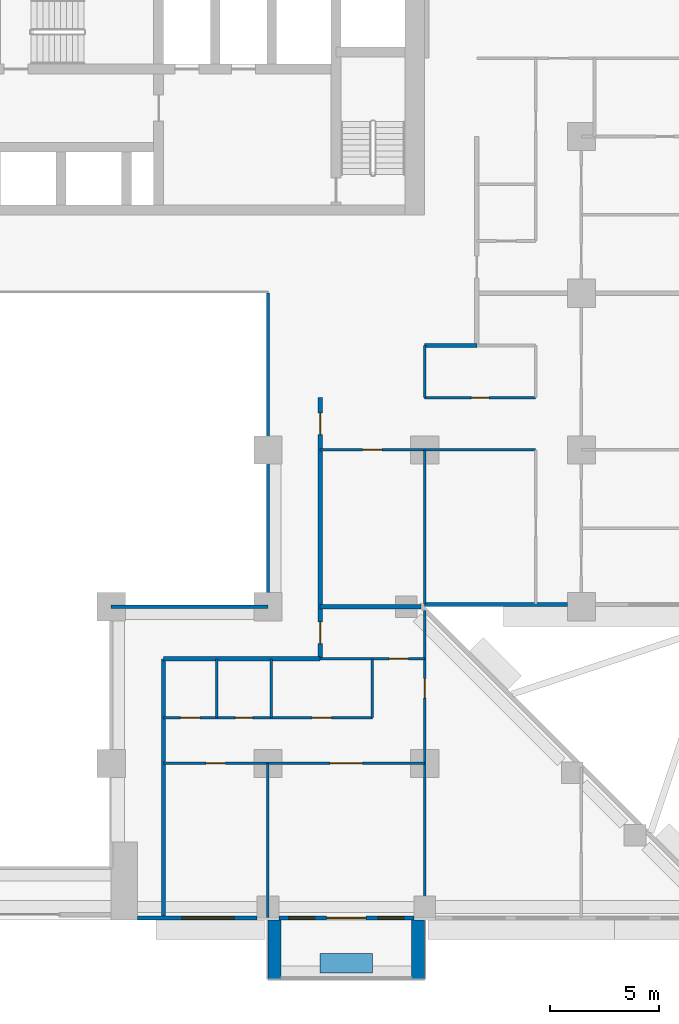
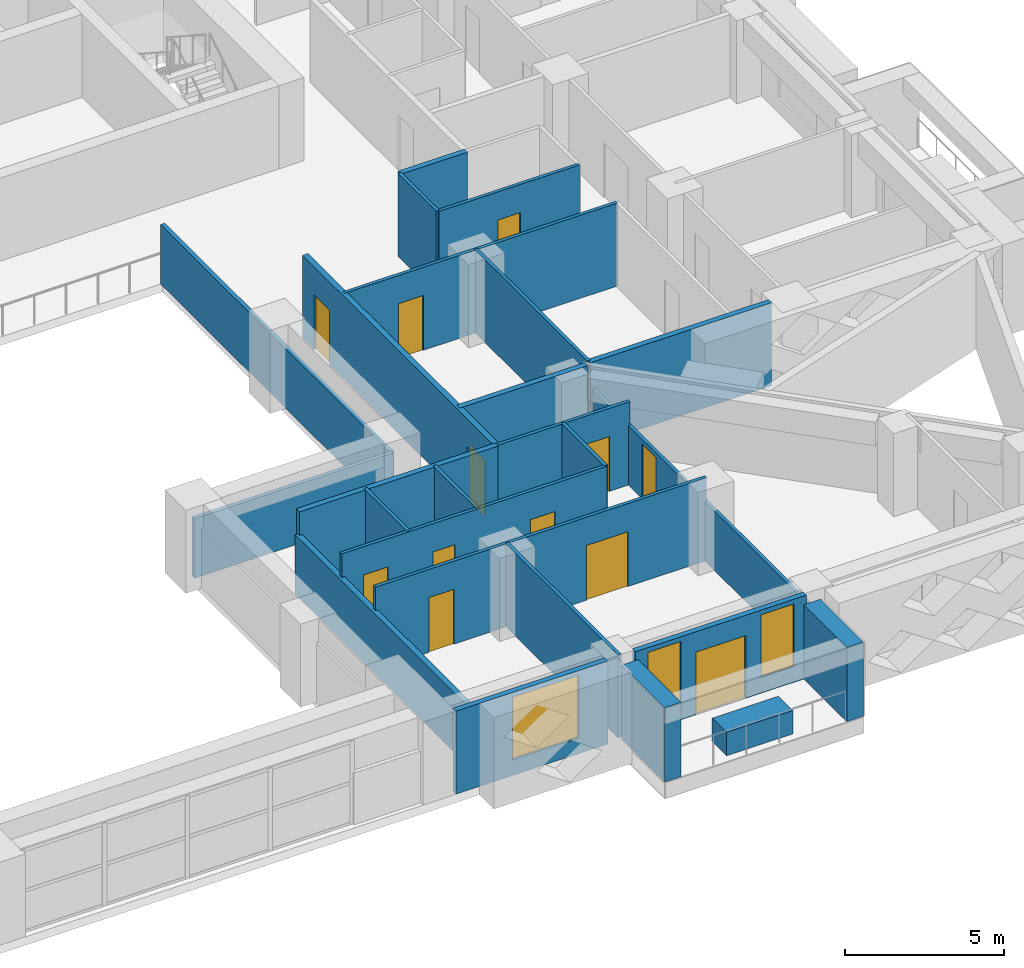
# One storey, part 8 of 16: 25 walls, 12 doors, 3 windows, 15 openings.
"""IFC4 building model written with IfcOpenShell, lengths in metres."""

from ifc_helpers import new_model, si_unit, direction, frame, frame_2d, origin, place, context, subcontext, project, spatial, rectangle, extrude, material, layer, layer_set, type_object, element, fill, save


model = new_model("IFC4")

# Units and contexts
model_context = context("Model", 3, precision=1e-05, world=origin(), true_north=direction((0.0, 1.0)))
body_context = subcontext(model_context, "Body", "Model", "MODEL_VIEW")
ifc_project = project(units=[si_unit("LENGTHUNIT", "METRE"), si_unit("AREAUNIT", "SQUARE_METRE"), si_unit("VOLUMEUNIT", "CUBIC_METRE"), si_unit("PLANEANGLEUNIT", "RADIAN"), si_unit("MASSUNIT", "GRAM", prefix="KILO")], contexts=[model_context])

# Site, building, storey
site_placement = place(None, origin())
site = spatial("IfcSite", under=ifc_project, at=site_placement, CompositionType="ELEMENT")
building_placement = place(site_placement, origin())
building = spatial("IfcBuilding", under=site, at=building_placement, Name="Saffron Iwan Residences", CompositionType="ELEMENT")
storey_placement = place(building_placement, frame((0.0, 0.0, 65.5)))
storey = spatial("IfcBuildingStorey", under=building, at=storey_placement, Name="L16", CompositionType="ELEMENT", Elevation=65.5)

# Walls
ifc_material_1 = material(Name="Fire-rated glazing", Category="glass")
ifc_layer_1 = layer(ifc_material_1, 0.14990234375)
ifc_layer_set_1 = layer_set([ifc_layer_1], Name="Fire-rated glazing")
wall_type_1 = type_object("IfcWallType", Name="Atrium glazed screen 150", PredefinedType="SOLIDWALL", material=ifc_layer_set_1)
wall_1_placement = place(storey_placement, frame((57.60009765625, 48.0, 0.0), z_axis=(0.0, 0.0, 1.0), x_axis=(1.0, 0.0, 0.0)))
element("IfcWall", 1, at=wall_1_placement, inside=storey, type_object=wall_type_1, Name="W-L16-SCREEN-h48-57.6", PredefinedType="SOLIDWALL", context=body_context, shape_type="SweptSolid", body=[
    extrude(rectangle(XDim=7.199951171875, YDim=0.14990234375, at=frame_2d((3.60009765625, 0.0))), origin(), (0.0, 0.0, 1.0), 2.280029296875),
])
wall_2_placement = place(storey_placement, frame((64.800048828125, 48.0, 0.0), z_axis=(0.0, 0.0, 1.0), x_axis=(0.0, 1.0, 0.0)))
element("IfcWall", 2, at=wall_2_placement, inside=storey, type_object=wall_type_1, Name="W-L16-SCREEN-v64.8-48", PredefinedType="SOLIDWALL", context=body_context, shape_type="SweptSolid", body=[
    extrude(rectangle(XDim=14.39990234375, YDim=0.14990234375, at=frame_2d((7.199951171875, 0.0))), origin(), (0.0, 0.0, 1.0), 2.280029296875),
])
ifc_material_2 = material(Name="Concrete C50/60 white painted", Category="concrete")
ifc_layer_2 = layer(ifc_material_2, 0.60009765625)
ifc_layer_set_2 = layer_set([ifc_layer_2], Name="Concrete C50/60 white painted")
wall_type_2 = type_object("IfcWallType", Name="BALCONY FIN 600", PredefinedType="SOLIDWALL", material=ifc_layer_set_2)
for number, where, z_axis, x_axis, name in (
    (3, (65.10009765625, 33.60009765625, 0.0), (0.0, 0.0, 1.0), (0.0, -1.0, 0.0), "Balcony fin L16 11-1a"),
    (4, (71.699951171875, 33.60009765625, 0.0), (0.0, 0.0, 1.0), (0.0, -1.0, 0.0), "Balcony fin L16 11-1b"),
):
    element("IfcWall", number, at=place(storey_placement, frame(where, z_axis=z_axis, x_axis=x_axis)), inside=storey, type_object=wall_type_2, Name=name, PredefinedType="SOLIDWALL", context=body_context, shape_type="SweptSolid", body=[
        extrude(rectangle(XDim=2.7001953125, YDim=0.60009765625, at=frame_2d((1.35009765625, 0.0))), origin(), (0.0, 0.0, 1.0), 2.85009765625),
    ])
ifc_material_3 = material(Name="Concrete C35/45 white painted", Category="concrete")
ifc_layer_3 = layer(ifc_material_3, 0.14990234375)
ifc_layer_set_3 = layer_set([ifc_layer_3], Name="Concrete C35/45 white painted")
wall_type_3 = type_object("IfcWallType", Name="BALCONY PLANTER", PredefinedType="SOLIDWALL", material=ifc_layer_set_3)
wall_3_placement = place(storey_placement, frame((67.199951171875, 31.625, 0.0), z_axis=(0.0, 0.0, 1.0), x_axis=(1.0, 0.0, 0.0)))
element("IfcWall", 5, at=wall_3_placement, inside=storey, type_object=wall_type_3, Name="PLANTER L16 11-1", PredefinedType="SOLIDWALL", context=body_context, shape_type="SweptSolid", body=[
    extrude(rectangle(XDim=2.400146484375, YDim=0.89990234375, at=frame_2d((1.2001953125, 0.0))), origin(), (0.0, 0.0, 1.0), 0.89990234375),
])
ifc_material_4 = material(Name="Concrete C40/50", Category="concrete")
ifc_layer_4 = layer(ifc_material_4, 0.199951171875)
ifc_layer_set_4 = layer_set([ifc_layer_4], Name="Concrete C40/50")
wall_type_4 = type_object("IfcWallType", Name="EXTERNAL WALL 200", PredefinedType="SOLIDWALL", material=ifc_layer_set_4)
wall_4_placement = place(storey_placement, frame((71.988525390625, 48.10009765625, 0.0), z_axis=(0.0, 0.0, 1.0), x_axis=(1.0, 0.0, 0.0)))
element("IfcWall", 6, at=wall_4_placement, inside=storey, type_object=wall_type_4, Name="External wall L16 F1.0", PredefinedType="SOLIDWALL", context=body_context, shape_type="SweptSolid", body=[
    extrude(rectangle(XDim=6.5615234375, YDim=0.199951171875, at=frame_2d((3.28076171875, 0.0))), origin(), (0.0, 0.0, 1.0), 3.179931640625),
])

# Wall, opening, window
wall_5_placement = place(storey_placement, frame((58.800048828125, 33.699951171875, 0.0), z_axis=(0.0, 0.0, 1.0), x_axis=(1.0, 0.0, 0.0)))
wall_5 = element("IfcWall", 7, at=wall_5_placement, inside=storey, type_object=wall_type_4, Name="External wall L16 F11.4", PredefinedType="SOLIDWALL", context=body_context, shape_type="SweptSolid", body=[
    extrude(rectangle(XDim=5.5, YDim=0.199951171875, at=frame_2d((2.75, 0.0))), origin(), (0.0, 0.0, 1.0), 3.179931640625),
])
opening_1_placement = place(wall_5_placement, frame((2.050048828125, 0.0, 0.60009765625)))
opening_1 = element("IfcOpeningElement", 8, at=opening_1_placement, cuts=wall_5, Name="Opening W1", PredefinedType="OPENING", context=body_context, shape_type="SweptSolid", body=[
    extrude(rectangle(XDim=2.39990234375, YDim=2.39990234375, at=frame_2d((1.199951171875, 1.199951171875))), frame((0.0, 0.10986328125, 0.0), z_axis=(0.0, -1.0, 0.0), x_axis=(1.0, 0.0, 0.0)), (0.0, 0.0, 1.0), 0.219970703125),
])
ifc_material_5 = material(Name="Clear glass, laminated double glazed", Category="glass")
window_type_1 = type_object("IfcWindowType", Name="WINDOW 2400 x 2400", PartitioningType="DOUBLE_PANEL_VERTICAL", PredefinedType="WINDOW", material=ifc_material_5)
window_1_placement = place(opening_1_placement, origin())
window_1 = element("IfcWindow", 9, at=window_1_placement, inside=storey, type_object=window_type_1, Name="Window L16 F11.0", OverallHeight=2.39990234375, OverallWidth=2.39990234375, PartitioningType="DOUBLE_PANEL_VERTICAL", PredefinedType="WINDOW", context=body_context, shape_type="SweptSolid", body=[
    extrude(rectangle(XDim=2.39990234375, YDim=2.39990234375, at=frame_2d((1.199951171875, 1.199951171875))), frame((0.0, 0.030029296875, 0.0), z_axis=(0.0, -1.0, 0.0), x_axis=(1.0, 0.0, 0.0)), (0.0, 0.0, 1.0), 0.06005859375),
])
fill(opening_1, window_1)

# Wall, openings, door, windows
wall_6_placement = place(storey_placement, frame((65.300048828125, 33.699951171875, 0.0), z_axis=(0.0, 0.0, 1.0), x_axis=(1.0, 0.0, 0.0)))
wall_6 = element("IfcWall", 10, at=wall_6_placement, inside=storey, type_object=wall_type_4, Name="External wall L16 F11.5", PredefinedType="SOLIDWALL", context=body_context, shape_type="SweptSolid", body=[
    extrude(rectangle(XDim=6.199951171875, YDim=0.199951171875, at=frame_2d((3.10009765625, 0.0))), origin(), (0.0, 0.0, 1.0), 3.179931640625),
])
opening_2_placement = place(wall_6_placement, frame((2.199951171875, 0.0, 0.0)))
opening_2 = element("IfcOpeningElement", 11, at=opening_2_placement, cuts=wall_6, Name="Opening BD1", PredefinedType="OPENING", context=body_context, shape_type="SweptSolid", body=[
    extrude(rectangle(XDim=1.800048828125, YDim=2.39990234375, at=frame_2d((0.89990234375, 1.199951171875))), frame((0.0, 0.10986328125, 0.0), z_axis=(0.0, -1.0, 0.0), x_axis=(1.0, 0.0, 0.0)), (0.0, 0.0, 1.0), 0.219970703125),
])
opening_3_placement = place(wall_6_placement, frame((0.449951171875, 0.0, 0.60009765625)))
opening_3 = element("IfcOpeningElement", 12, at=opening_3_placement, cuts=wall_6, Name="Opening W3", PredefinedType="OPENING", context=body_context, shape_type="SweptSolid", body=[
    extrude(rectangle(XDim=1.199951171875, YDim=2.39990234375, at=frame_2d((0.60009765625, 1.199951171875))), frame((0.0, 0.10986328125, 0.0), z_axis=(0.0, -1.0, 0.0), x_axis=(1.0, 0.0, 0.0)), (0.0, 0.0, 1.0), 0.219970703125),
])
opening_4_placement = place(wall_6_placement, frame((4.550048828125, 0.0, 0.60009765625)))
opening_4 = element("IfcOpeningElement", 13, at=opening_4_placement, cuts=wall_6, Name="Opening W3", PredefinedType="OPENING", context=body_context, shape_type="SweptSolid", body=[
    extrude(rectangle(XDim=1.199951171875, YDim=2.39990234375, at=frame_2d((0.60009765625, 1.199951171875))), frame((0.0, 0.10986328125, 0.0), z_axis=(0.0, -1.0, 0.0), x_axis=(1.0, 0.0, 0.0)), (0.0, 0.0, 1.0), 0.219970703125),
])
door_type_1 = type_object("IfcDoorType", Name="BALCONY DOOR 1800 x 2400", OperationType="DOUBLE_DOOR_SLIDING", PredefinedType="DOOR", material=ifc_material_5)
door_1_placement = place(opening_2_placement, origin())
door_1 = element("IfcDoor", 14, at=door_1_placement, inside=storey, type_object=door_type_1, Name="Balcony door L16 F11.0", OperationType="DOUBLE_DOOR_SLIDING", OverallHeight=2.39990234375, OverallWidth=1.800048828125, PredefinedType="DOOR", context=body_context, shape_type="SweptSolid", body=[
    extrude(rectangle(XDim=1.800048828125, YDim=2.39990234375, at=frame_2d((0.89990234375, 1.199951171875))), frame((0.0, 0.02490234375, 0.0), z_axis=(0.0, -1.0, 0.0), x_axis=(1.0, 0.0, 0.0)), (0.0, 0.0, 1.0), 0.050048828125),
])
fill(opening_2, door_1)
window_type_2 = type_object("IfcWindowType", Name="WINDOW 1200 x 2400", PartitioningType="SINGLE_PANEL", PredefinedType="WINDOW", material=ifc_material_5)
window_2_placement = place(opening_3_placement, origin())
window_2 = element("IfcWindow", 15, at=window_2_placement, inside=storey, type_object=window_type_2, Name="Window L16 F11.1", OverallHeight=2.39990234375, OverallWidth=1.199951171875, PartitioningType="SINGLE_PANEL", PredefinedType="WINDOW", context=body_context, shape_type="SweptSolid", body=[
    extrude(rectangle(XDim=1.199951171875, YDim=2.39990234375, at=frame_2d((0.60009765625, 1.199951171875))), frame((0.0, 0.030029296875, 0.0), z_axis=(0.0, -1.0, 0.0), x_axis=(1.0, 0.0, 0.0)), (0.0, 0.0, 1.0), 0.06005859375),
])
fill(opening_3, window_2)
window_3_placement = place(opening_4_placement, origin())
window_3 = element("IfcWindow", 16, at=window_3_placement, inside=storey, type_object=window_type_2, Name="Window L16 F11.2", OverallHeight=2.39990234375, OverallWidth=1.199951171875, PartitioningType="SINGLE_PANEL", PredefinedType="WINDOW", context=body_context, shape_type="SweptSolid", body=[
    extrude(rectangle(XDim=1.199951171875, YDim=2.39990234375, at=frame_2d((0.60009765625, 1.199951171875))), frame((0.0, 0.030029296875, 0.0), z_axis=(0.0, -1.0, 0.0), x_axis=(1.0, 0.0, 0.0)), (0.0, 0.0, 1.0), 0.06005859375),
])
fill(opening_4, window_3)

# Wall
ifc_material_6 = material(Name="Fire-rated gypsum board wall")
ifc_layer_5 = layer(ifc_material_6, 0.199951171875)
ifc_layer_set_5 = layer_set([ifc_layer_5], Name="Fire-rated gypsum board wall")
wall_type_5 = type_object("IfcWallType", Name="Flat demising wall 200", PredefinedType="SOLIDWALL", material=ifc_layer_set_5)
wall_7_placement = place(storey_placement, frame((67.199951171875, 48.0, 0.0), z_axis=(0.0, 0.0, 1.0), x_axis=(1.0, 0.0, 0.0)))
element("IfcWall", 17, at=wall_7_placement, inside=storey, type_object=wall_type_5, Name="W-L16-DEMISE-h48-67.2", PredefinedType="SOLIDWALL", context=body_context, shape_type="SweptSolid", body=[
    extrude(rectangle(XDim=4.623046875, YDim=0.199951171875, at=frame_2d((2.3115234375, 0.0))), origin(), (0.0, 0.0, 1.0), 3.179931640625),
])

# Wall, openings, doors
ifc_material_7 = material(Name="Gypsum board partition")
ifc_layer_6 = layer(ifc_material_7, 0.1201171875)
ifc_layer_set_6 = layer_set([ifc_layer_6], Name="Gypsum board partition")
wall_type_6 = type_object("IfcWallType", Name="Flat partition 120", PredefinedType="PARTITIONING", material=ifc_layer_set_6)
wall_8_placement = place(storey_placement, frame((60.0, 40.800048828125, 0.0), z_axis=(0.0, 0.0, 1.0), x_axis=(1.0, 0.0, 0.0)))
wall_8 = element("IfcWall", 18, at=wall_8_placement, inside=storey, type_object=wall_type_6, Name="W-L16-PART-h40.8-60", PredefinedType="PARTITIONING", context=body_context, shape_type="SweptSolid", body=[
    extrude(rectangle(XDim=12.0, YDim=0.1201171875, at=frame_2d((6.0, 0.0))), origin(), (0.0, 0.0, 1.0), 3.179931640625),
])
opening_5_placement = place(wall_8_placement, frame((7.64990234375, 0.0, 0.0)))
opening_5 = element("IfcOpeningElement", 19, at=opening_5_placement, cuts=wall_8, Name="Opening FD4", PredefinedType="OPENING", context=body_context, shape_type="SweptSolid", body=[
    extrude(rectangle(XDim=1.5, YDim=2.10009765625, at=frame_2d((0.75, 1.050048828125))), frame((0.0, 0.070068359375, 0.0), z_axis=(0.0, -1.0, 0.0), x_axis=(1.0, 0.0, 0.0)), (0.0, 0.0, 1.0), 0.14013671875),
])
opening_6_placement = place(wall_8_placement, frame((1.949951171875, 0.0, 0.0)))
opening_6 = element("IfcOpeningElement", 20, at=opening_6_placement, cuts=wall_8, Name="Opening FD2", PredefinedType="OPENING", context=body_context, shape_type="SweptSolid", body=[
    extrude(rectangle(XDim=0.89990234375, YDim=2.10009765625, at=frame_2d((0.449951171875, 1.050048828125))), frame((0.0, 0.070068359375, 0.0), z_axis=(0.0, -1.0, 0.0), x_axis=(1.0, 0.0, 0.0)), (0.0, 0.0, 1.0), 0.14013671875),
])
ifc_material_8 = material(Name="Timber door", Category="wood")
door_type_2 = type_object("IfcDoorType", Name="Double door 1500", OperationType="NOTDEFINED", PredefinedType="DOOR", material=ifc_material_8)
door_2_placement = place(opening_5_placement, origin())
door_2 = element("IfcDoor", 21, at=door_2_placement, inside=storey, type_object=door_type_2, Name="Door L16-043", OperationType="SINGLE_SWING_LEFT", OverallHeight=2.10009765625, OverallWidth=1.5, PredefinedType="DOOR", context=body_context, shape_type="SweptSolid", body=[
    extrude(rectangle(XDim=1.5, YDim=2.10009765625, at=frame_2d((0.75, 1.050048828125))), frame((0.0, 0.02490234375, 0.0), z_axis=(0.0, -1.0, 0.0), x_axis=(1.0, 0.0, 0.0)), (0.0, 0.0, 1.0), 0.050048828125),
])
fill(opening_5, door_2)
door_type_3 = type_object("IfcDoorType", Name="Flat door 900", OperationType="NOTDEFINED", PredefinedType="DOOR", material=ifc_material_8)
door_3_placement = place(opening_6_placement, origin())
door_3 = element("IfcDoor", 22, at=door_3_placement, inside=storey, type_object=door_type_3, Name="Door L16-044", OperationType="SINGLE_SWING_LEFT", OverallHeight=2.10009765625, OverallWidth=0.89990234375, PredefinedType="DOOR", context=body_context, shape_type="SweptSolid", body=[
    extrude(rectangle(XDim=0.89990234375, YDim=2.10009765625, at=frame_2d((0.449951171875, 1.050048828125))), frame((0.0, 0.02490234375, 0.0), z_axis=(0.0, -1.0, 0.0), x_axis=(1.0, 0.0, 0.0)), (0.0, 0.0, 1.0), 0.050048828125),
])
fill(opening_6, door_3)

wall_9_placement = place(storey_placement, frame((60.0, 42.89990234375, 0.0), z_axis=(0.0, 0.0, 1.0), x_axis=(1.0, 0.0, 0.0)))
wall_9 = element("IfcWall", 23, at=wall_9_placement, inside=storey, type_object=wall_type_6, Name="W-L16-PART-h42.9-60", PredefinedType="PARTITIONING", context=body_context, shape_type="SweptSolid", body=[
    extrude(rectangle(XDim=9.60009765625, YDim=0.1201171875, at=frame_2d((4.800048828125, 0.0))), origin(), (0.0, 0.0, 1.0), 3.179931640625),
])
opening_7_placement = place(wall_9_placement, frame((6.824951171875, 0.0, 0.0)))
opening_7 = element("IfcOpeningElement", 24, at=opening_7_placement, cuts=wall_9, Name="Opening FD2", PredefinedType="OPENING", context=body_context, shape_type="SweptSolid", body=[
    extrude(rectangle(XDim=0.89990234375, YDim=2.10009765625, at=frame_2d((0.449951171875, 1.050048828125))), frame((0.0, 0.070068359375, 0.0), z_axis=(0.0, -1.0, 0.0), x_axis=(1.0, 0.0, 0.0)), (0.0, 0.0, 1.0), 0.14013671875),
])
opening_8_placement = place(wall_9_placement, frame((3.300048828125, 0.0, 0.0)))
opening_8 = element("IfcOpeningElement", 25, at=opening_8_placement, cuts=wall_9, Name="Opening FD3", PredefinedType="OPENING", context=body_context, shape_type="SweptSolid", body=[
    extrude(rectangle(XDim=0.800048828125, YDim=2.10009765625, at=frame_2d((0.39990234375, 1.050048828125))), frame((0.0, 0.070068359375, 0.0), z_axis=(0.0, -1.0, 0.0), x_axis=(1.0, 0.0, 0.0)), (0.0, 0.0, 1.0), 0.14013671875),
])
opening_9_placement = place(wall_9_placement, frame((0.77490234375, 0.0, 0.0)))
opening_9 = element("IfcOpeningElement", 26, at=opening_9_placement, cuts=wall_9, Name="Opening FD2", PredefinedType="OPENING", context=body_context, shape_type="SweptSolid", body=[
    extrude(rectangle(XDim=0.89990234375, YDim=2.10009765625, at=frame_2d((0.449951171875, 1.050048828125))), frame((0.0, 0.070068359375, 0.0), z_axis=(0.0, -1.0, 0.0), x_axis=(1.0, 0.0, 0.0)), (0.0, 0.0, 1.0), 0.14013671875),
])
door_type_4 = type_object("IfcDoorType", Name="Bathroom door 800", OperationType="NOTDEFINED", PredefinedType="DOOR", material=ifc_material_8)
door_4_placement = place(opening_8_placement, origin())
door_4 = element("IfcDoor", 27, at=door_4_placement, inside=storey, type_object=door_type_4, Name="Door L16-046", OperationType="SINGLE_SWING_LEFT", OverallHeight=2.10009765625, OverallWidth=0.800048828125, PredefinedType="DOOR", context=body_context, shape_type="SweptSolid", body=[
    extrude(rectangle(XDim=0.800048828125, YDim=2.10009765625, at=frame_2d((0.39990234375, 1.050048828125))), frame((0.0, 0.02490234375, 0.0), z_axis=(0.0, -1.0, 0.0), x_axis=(1.0, 0.0, 0.0)), (0.0, 0.0, 1.0), 0.050048828125),
])
fill(opening_8, door_4)
door_5_placement = place(opening_7_placement, origin())
door_5 = element("IfcDoor", 28, at=door_5_placement, inside=storey, type_object=door_type_3, Name="Door L16-045", OperationType="SINGLE_SWING_RIGHT", OverallHeight=2.10009765625, OverallWidth=0.89990234375, PredefinedType="DOOR", context=body_context, shape_type="SweptSolid", body=[
    extrude(rectangle(XDim=0.89990234375, YDim=2.10009765625, at=frame_2d((0.449951171875, 1.050048828125))), frame((0.0, 0.02490234375, 0.0), z_axis=(0.0, -1.0, 0.0), x_axis=(1.0, 0.0, 0.0)), (0.0, 0.0, 1.0), 0.050048828125),
])
fill(opening_7, door_5)
door_6_placement = place(opening_9_placement, origin())
door_6 = element("IfcDoor", 29, at=door_6_placement, inside=storey, type_object=door_type_3, Name="Door L16-047", OperationType="SINGLE_SWING_LEFT", OverallHeight=2.10009765625, OverallWidth=0.89990234375, PredefinedType="DOOR", context=body_context, shape_type="SweptSolid", body=[
    extrude(rectangle(XDim=0.89990234375, YDim=2.10009765625, at=frame_2d((0.449951171875, 1.050048828125))), frame((0.0, 0.02490234375, 0.0), z_axis=(0.0, -1.0, 0.0), x_axis=(1.0, 0.0, 0.0)), (0.0, 0.0, 1.0), 0.050048828125),
])
fill(opening_9, door_6)

# Wall, opening, door
wall_10_placement = place(storey_placement, frame((67.199951171875, 45.60009765625, 0.0), z_axis=(0.0, 0.0, 1.0), x_axis=(1.0, 0.0, 0.0)))
wall_10 = element("IfcWall", 30, at=wall_10_placement, inside=storey, type_object=wall_type_6, Name="W-L16-PART-h45.6-67.2", PredefinedType="PARTITIONING", context=body_context, shape_type="SweptSolid", body=[
    extrude(rectangle(XDim=4.800048828125, YDim=0.1201171875, at=frame_2d((2.39990234375, 0.0))), origin(), (0.0, 0.0, 1.0), 3.179931640625),
])
opening_10_placement = place(wall_10_placement, frame((3.14990234375, 0.0, 0.0)))
opening_10 = element("IfcOpeningElement", 31, at=opening_10_placement, cuts=wall_10, Name="Opening FD2", PredefinedType="OPENING", context=body_context, shape_type="SweptSolid", body=[
    extrude(rectangle(XDim=0.89990234375, YDim=2.10009765625, at=frame_2d((0.449951171875, 1.050048828125))), frame((0.0, 0.070068359375, 0.0), z_axis=(0.0, -1.0, 0.0), x_axis=(1.0, 0.0, 0.0)), (0.0, 0.0, 1.0), 0.14013671875),
])
door_7_placement = place(opening_10_placement, origin())
door_7 = element("IfcDoor", 32, at=door_7_placement, inside=storey, type_object=door_type_3, Name="Door L16-041", OperationType="SINGLE_SWING_LEFT", OverallHeight=2.10009765625, OverallWidth=0.89990234375, PredefinedType="DOOR", context=body_context, shape_type="SweptSolid", body=[
    extrude(rectangle(XDim=0.89990234375, YDim=2.10009765625, at=frame_2d((0.449951171875, 1.050048828125))), frame((0.0, 0.02490234375, 0.0), z_axis=(0.0, -1.0, 0.0), x_axis=(1.0, 0.0, 0.0)), (0.0, 0.0, 1.0), 0.050048828125),
])
fill(opening_10, door_7)

wall_11_placement = place(storey_placement, frame((67.199951171875, 55.199951171875, 0.0), z_axis=(0.0, 0.0, 1.0), x_axis=(1.0, 0.0, 0.0)))
wall_11 = element("IfcWall", 33, at=wall_11_placement, inside=storey, type_object=wall_type_6, Name="W-L16-PART-h55.2-67.2", PredefinedType="PARTITIONING", context=body_context, shape_type="SweptSolid", body=[
    extrude(rectangle(XDim=9.900146484375, YDim=0.1201171875, at=frame_2d((4.9501953125, 0.0))), origin(), (0.0, 0.0, 1.0), 3.179931640625),
])
opening_11_placement = place(wall_11_placement, frame((1.949951171875, 0.0, 0.0)))
opening_11 = element("IfcOpeningElement", 34, at=opening_11_placement, cuts=wall_11, Name="Opening FD2", PredefinedType="OPENING", context=body_context, shape_type="SweptSolid", body=[
    extrude(rectangle(XDim=0.89990234375, YDim=2.10009765625, at=frame_2d((0.449951171875, 1.050048828125))), frame((0.0, 0.070068359375, 0.0), z_axis=(0.0, -1.0, 0.0), x_axis=(1.0, 0.0, 0.0)), (0.0, 0.0, 1.0), 0.14013671875),
])
door_8_placement = place(opening_11_placement, origin())
door_8 = element("IfcDoor", 35, at=door_8_placement, inside=storey, type_object=door_type_3, Name="Door L16-026", OperationType="SINGLE_SWING_LEFT", OverallHeight=2.10009765625, OverallWidth=0.89990234375, PredefinedType="DOOR", context=body_context, shape_type="SweptSolid", body=[
    extrude(rectangle(XDim=0.89990234375, YDim=2.10009765625, at=frame_2d((0.449951171875, 1.050048828125))), frame((0.0, 0.02490234375, 0.0), z_axis=(0.0, -1.0, 0.0), x_axis=(1.0, 0.0, 0.0)), (0.0, 0.0, 1.0), 0.050048828125),
])
fill(opening_11, door_8)

wall_12_placement = place(storey_placement, frame((72.0, 57.60009765625, 0.0), z_axis=(0.0, 0.0, 1.0), x_axis=(1.0, 0.0, 0.0)))
wall_12 = element("IfcWall", 36, at=wall_12_placement, inside=storey, type_object=wall_type_6, Name="W-L16-PART-h57.6-72", PredefinedType="PARTITIONING", context=body_context, shape_type="SweptSolid", body=[
    extrude(rectangle(XDim=5.10009765625, YDim=0.1201171875, at=frame_2d((2.550048828125, 0.0))), origin(), (0.0, 0.0, 1.0), 3.179931640625),
])
opening_12_placement = place(wall_12_placement, frame((2.14990234375, 0.0, 0.0)))
opening_12 = element("IfcOpeningElement", 37, at=opening_12_placement, cuts=wall_12, Name="Opening FD3", PredefinedType="OPENING", context=body_context, shape_type="SweptSolid", body=[
    extrude(rectangle(XDim=0.800048828125, YDim=2.10009765625, at=frame_2d((0.39990234375, 1.050048828125))), frame((0.0, 0.070068359375, 0.0), z_axis=(0.0, -1.0, 0.0), x_axis=(1.0, 0.0, 0.0)), (0.0, 0.0, 1.0), 0.14013671875),
])
door_9_placement = place(opening_12_placement, origin())
door_9 = element("IfcDoor", 38, at=door_9_placement, inside=storey, type_object=door_type_4, Name="Door L16-025", OperationType="SINGLE_SWING_LEFT", OverallHeight=2.10009765625, OverallWidth=0.800048828125, PredefinedType="DOOR", context=body_context, shape_type="SweptSolid", body=[
    extrude(rectangle(XDim=0.800048828125, YDim=2.10009765625, at=frame_2d((0.39990234375, 1.050048828125))), frame((0.0, 0.02490234375, 0.0), z_axis=(0.0, -1.0, 0.0), x_axis=(1.0, 0.0, 0.0)), (0.0, 0.0, 1.0), 0.050048828125),
])
fill(opening_12, door_9)

# Walls
wall_13_placement = place(storey_placement, frame((62.449951171875, 42.89990234375, 0.0), z_axis=(0.0, 0.0, 1.0), x_axis=(0.0, 1.0, 0.0)))
element("IfcWall", 39, at=wall_13_placement, inside=storey, type_object=wall_type_6, Name="W-L16-PART-v62.45-42.9", PredefinedType="PARTITIONING", context=body_context, shape_type="SweptSolid", body=[
    extrude(rectangle(XDim=2.7001953125, YDim=0.1201171875, at=frame_2d((1.35009765625, 0.0))), origin(), (0.0, 0.0, 1.0), 3.179931640625),
])
wall_14_placement = place(storey_placement, frame((64.800048828125, 33.72509765625, 0.0), z_axis=(0.0, 0.0, 1.0), x_axis=(0.0, 1.0, 0.0)))
element("IfcWall", 40, at=wall_14_placement, inside=storey, type_object=wall_type_6, Name="W-L16-PART-v64.8-33.725", PredefinedType="PARTITIONING", context=body_context, shape_type="SweptSolid", body=[
    extrude(rectangle(XDim=7.074951171875, YDim=0.1201171875, at=frame_2d((3.53759765625, 0.0))), origin(), (0.0, 0.0, 1.0), 3.179931640625),
])
for number, where, z_axis, x_axis, name in (
    (41, (64.949951171875, 42.89990234375, 0.0), (0.0, 0.0, 1.0), (0.0, 1.0, 0.0), "W-L16-PART-v64.95-42.9"),
    (42, (69.60009765625, 42.89990234375, 0.0), (0.0, 0.0, 1.0), (0.0, 1.0, 0.0), "W-L16-PART-v69.6-42.9"),
):
    element("IfcWall", number, at=place(storey_placement, frame(where, z_axis=z_axis, x_axis=x_axis)), inside=storey, type_object=wall_type_6, Name=name, PredefinedType="PARTITIONING", context=body_context, shape_type="SweptSolid", body=[
        extrude(rectangle(XDim=2.7001953125, YDim=0.1201171875, at=frame_2d((1.35009765625, 0.0))), origin(), (0.0, 0.0, 1.0), 3.179931640625),
    ])

# Wall, opening, door
wall_15_placement = place(storey_placement, frame((72.0, 33.72509765625, 0.0), z_axis=(0.0, 0.0, 1.0), x_axis=(0.0, 1.0, 0.0)))
wall_15 = element("IfcWall", 43, at=wall_15_placement, inside=storey, type_object=wall_type_6, Name="W-L16-PART-v72-33.725", PredefinedType="PARTITIONING", context=body_context, shape_type="SweptSolid", body=[
    extrude(rectangle(XDim=14.097900390625, YDim=0.1201171875, at=frame_2d((7.048828125, 0.0))), origin(), (0.0, 0.0, 1.0), 2.280029296875),
])
opening_13_placement = place(wall_15_placement, frame((10.074951171875, 0.0, 0.0)))
opening_13 = element("IfcOpeningElement", 44, at=opening_13_placement, cuts=wall_15, Name="Opening FD2", PredefinedType="OPENING", context=body_context, shape_type="SweptSolid", body=[
    extrude(rectangle(XDim=0.89990234375, YDim=2.10009765625, at=frame_2d((0.449951171875, 1.050048828125))), frame((0.0, 0.070068359375, 0.0), z_axis=(0.0, -1.0, 0.0), x_axis=(1.0, 0.0, 0.0)), (0.0, 0.0, 1.0), 0.14013671875),
])
door_10_placement = place(opening_13_placement, origin())
door_10 = element("IfcDoor", 45, at=door_10_placement, inside=storey, type_object=door_type_3, Name="Door L16-048", OperationType="SINGLE_SWING_RIGHT", OverallHeight=2.10009765625, OverallWidth=0.89990234375, PredefinedType="DOOR", context=body_context, shape_type="SweptSolid", body=[
    extrude(rectangle(XDim=0.89990234375, YDim=2.10009765625, at=frame_2d((0.449951171875, 1.050048828125))), frame((0.0, 0.02490234375, 0.0), z_axis=(0.0, -1.0, 0.0), x_axis=(1.0, 0.0, 0.0)), (0.0, 0.0, 1.0), 0.050048828125),
])
fill(opening_13, door_10)

# Walls
wall_16_placement = place(storey_placement, frame((72.0, 48.125, 0.0), z_axis=(0.0, 0.0, 1.0), x_axis=(0.0, 1.0, 0.0)))
element("IfcWall", 46, at=wall_16_placement, inside=storey, type_object=wall_type_6, Name="W-L16-PART-v72-48.125", PredefinedType="PARTITIONING", context=body_context, shape_type="SweptSolid", body=[
    extrude(rectangle(XDim=7.074951171875, YDim=0.1201171875, at=frame_2d((3.53759765625, 0.0))), origin(), (0.0, 0.0, 1.0), 3.179931640625),
])
wall_17_placement = place(storey_placement, frame((72.0, 57.60009765625, 0.0), z_axis=(0.0, 0.0, 1.0), x_axis=(0.0, 1.0, 0.0)))
element("IfcWall", 47, at=wall_17_placement, inside=storey, type_object=wall_type_6, Name="W-L16-PART-v72-57.6", PredefinedType="PARTITIONING", context=body_context, shape_type="SweptSolid", body=[
    extrude(rectangle(XDim=2.39990234375, YDim=0.1201171875, at=frame_2d((1.199951171875, 0.0))), origin(), (0.0, 0.0, 1.0), 3.179931640625),
])
ifc_layer_7 = layer(ifc_material_6, 0.199951171875)
ifc_layer_set_7 = layer_set([ifc_layer_7], Name="Fire-rated gypsum board wall")
wall_type_7 = type_object("IfcWallType", Name="Gallery wall 200", PredefinedType="SOLIDWALL", material=ifc_layer_set_7)
wall_18_placement = place(storey_placement, frame((60.0, 45.60009765625, 0.0), z_axis=(0.0, 0.0, 1.0), x_axis=(1.0, 0.0, 0.0)))
element("IfcWall", 48, at=wall_18_placement, inside=storey, type_object=wall_type_7, Name="W-L16-CORR-h45.6-60", PredefinedType="SOLIDWALL", context=body_context, shape_type="SweptSolid", body=[
    extrude(rectangle(XDim=7.199951171875, YDim=0.199951171875, at=frame_2d((3.60009765625, 0.0))), origin(), (0.0, 0.0, 1.0), 3.179931640625),
])
wall_19_placement = place(storey_placement, frame((72.0, 60.0, 0.0), z_axis=(0.0, 0.0, 1.0), x_axis=(1.0, 0.0, 0.0)))
element("IfcWall", 49, at=wall_19_placement, inside=storey, type_object=wall_type_7, Name="W-L16-CORR-h60-72", PredefinedType="SOLIDWALL", context=body_context, shape_type="SweptSolid", body=[
    extrude(rectangle(XDim=2.39990234375, YDim=0.199951171875, at=frame_2d((1.199951171875, 0.0))), origin(), (0.0, 0.0, 1.0), 3.179931640625),
])
wall_20_placement = place(storey_placement, frame((60.0, 33.72509765625, 0.0), z_axis=(0.0, 0.0, 1.0), x_axis=(0.0, 1.0, 0.0)))
element("IfcWall", 50, at=wall_20_placement, inside=storey, type_object=wall_type_7, Name="W-L16-CORR-v60-33.725", PredefinedType="SOLIDWALL", context=body_context, shape_type="SweptSolid", body=[
    extrude(rectangle(XDim=11.875, YDim=0.199951171875, at=frame_2d((5.9375, 0.0))), origin(), (0.0, 0.0, 1.0), 2.280029296875),
])

# Wall, openings, doors
wall_21_placement = place(storey_placement, frame((67.199951171875, 45.60009765625, 0.0), z_axis=(0.0, 0.0, 1.0), x_axis=(0.0, 1.0, 0.0)))
wall_21 = element("IfcWall", 51, at=wall_21_placement, inside=storey, type_object=wall_type_7, Name="W-L16-CORR-v67.2-45.6", PredefinedType="SOLIDWALL", context=body_context, shape_type="SweptSolid", body=[
    extrude(rectangle(XDim=12.0, YDim=0.199951171875, at=frame_2d((6.0, 0.0))), origin(), (0.0, 0.0, 1.0), 3.179931640625),
])
opening_14_placement = place(wall_21_placement, frame((10.300048828125, 0.0, 0.0)))
opening_14 = element("IfcOpeningElement", 52, at=opening_14_placement, cuts=wall_21, Name="Opening FD1", PredefinedType="OPENING", context=body_context, shape_type="SweptSolid", body=[
    extrude(rectangle(XDim=1.0, YDim=2.10009765625, at=frame_2d((0.5, 1.050048828125))), frame((0.0, 0.10986328125, 0.0), z_axis=(0.0, -1.0, 0.0), x_axis=(1.0, 0.0, 0.0)), (0.0, 0.0, 1.0), 0.219970703125),
])
opening_15_placement = place(wall_21_placement, frame((0.699951171875, 0.0, 0.0)))
opening_15 = element("IfcOpeningElement", 53, at=opening_15_placement, cuts=wall_21, Name="Opening FD5", PredefinedType="OPENING", context=body_context, shape_type="SweptSolid", body=[
    extrude(rectangle(XDim=1.0, YDim=2.10009765625, at=frame_2d((0.5, 1.050048828125))), frame((0.0, 0.10986328125, 0.0), z_axis=(0.0, -1.0, 0.0), x_axis=(1.0, 0.0, 0.0)), (0.0, 0.0, 1.0), 0.219970703125),
])
ifc_material_9 = material(Name="Fire-rated timber door", Category="wood")
door_type_5 = type_object("IfcDoorType", Name="FD30S flat entrance door 1000", OperationType="NOTDEFINED", PredefinedType="DOOR", material=ifc_material_9)
door_11_placement = place(opening_14_placement, origin())
door_11 = element("IfcDoor", 54, at=door_11_placement, inside=storey, type_object=door_type_5, Name="Door L16-020", OperationType="SINGLE_SWING_LEFT", OverallHeight=2.10009765625, OverallWidth=1.0, PredefinedType="DOOR", context=body_context, shape_type="SweptSolid", body=[
    extrude(rectangle(XDim=1.0, YDim=2.10009765625, at=frame_2d((0.5, 1.050048828125))), frame((0.0, 0.02490234375, 0.0), z_axis=(0.0, -1.0, 0.0), x_axis=(1.0, 0.0, 0.0)), (0.0, 0.0, 1.0), 0.050048828125),
])
fill(opening_14, door_11)
door_type_6 = type_object("IfcDoorType", Name="Lobby door 1000", OperationType="NOTDEFINED", PredefinedType="DOOR", material=ifc_material_9)
door_12_placement = place(opening_15_placement, origin())
door_12 = element("IfcDoor", 55, at=door_12_placement, inside=storey, type_object=door_type_6, Name="Door L16-042", OperationType="SINGLE_SWING_RIGHT", OverallHeight=2.10009765625, OverallWidth=1.0, PredefinedType="DOOR", context=body_context, shape_type="SweptSolid", body=[
    extrude(rectangle(XDim=1.0, YDim=2.10009765625, at=frame_2d((0.5, 1.050048828125))), frame((0.0, 0.02490234375, 0.0), z_axis=(0.0, -1.0, 0.0), x_axis=(1.0, 0.0, 0.0)), (0.0, 0.0, 1.0), 0.050048828125),
])
fill(opening_15, door_12)

save(model, "model.ifc")
